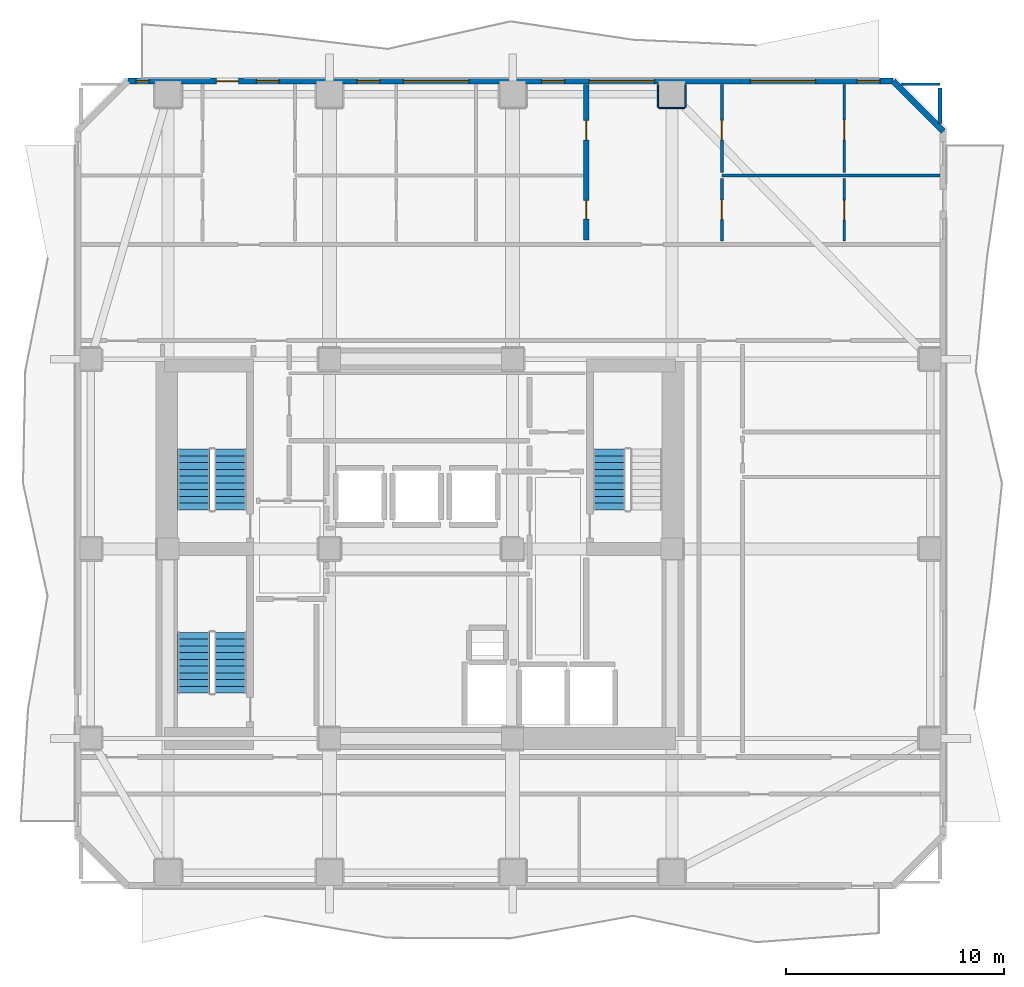
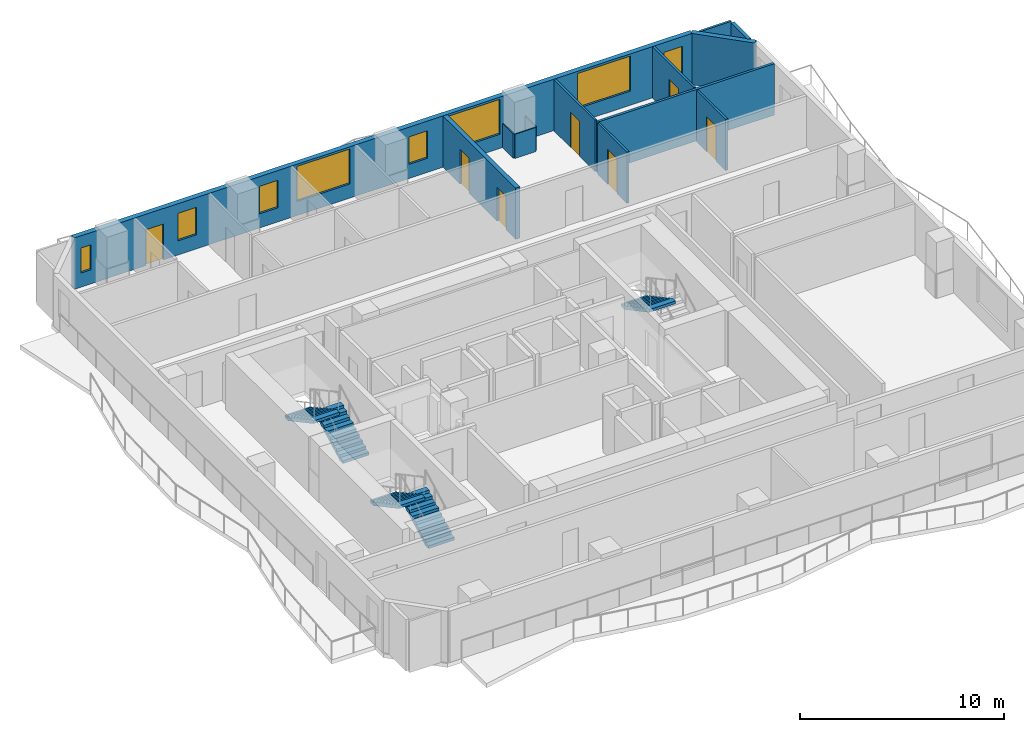
# One storey, part 6 of 11: 13 walls, 8 windows, 7 doors, 5 stair flights, 15 openings, 3 elements without a shape of their own.
"""IFC4 building model written with IfcOpenShell, lengths in metres."""

import ifcopenshell
import ifcopenshell.guid

model = None  # the IFC model being written
_history = None  # IfcOwnerHistory: only IFC2X3 demands one
_inside = {}  # id of a spatial element -> (the spatial element, [elements in it])
_under = {}  # id of a project, library or spatial element -> (it, [spatial elements below it])
_declared = {}  # id of a project -> (the project, [libraries it declares])
_typed = {}  # id of a type object -> (the type object, [elements of that type])
_made_of = {}  # id of a material, layer set ... -> (it, [elements and type objects made of it])


def new_model(schema):
    """Start an empty IFC model of exactly this schema.

    Asked for "IFC4X3", IfcOpenShell would pick the latest addendum, in which some entities
    have other attributes; the version numbers below select the first issue.
    IFC2X3 requires an IfcOwnerHistory on every rooted entity: one is made here for all.
    """
    global model, _history
    if schema == "IFC4X3":
        model = ifcopenshell.file(schema_version=(4, 3, 0, 0))
    else:
        model = ifcopenshell.file(schema=schema)
    _inside.clear()
    _under.clear()
    _declared.clear()
    _typed.clear()
    _made_of.clear()
    _history = None
    if model.schema == "IFC2X3":
        org = make("IfcOrganization", Name="unknown")
        user = make(
            "IfcPersonAndOrganization",
            ThePerson=make("IfcPerson", FamilyName="unknown"),
            TheOrganization=org,
        )
        app = make(
            "IfcApplication",
            ApplicationDeveloper=org,
            Version="unknown",
            ApplicationFullName="unknown",
            ApplicationIdentifier="unknown",
        )
        _history = make(
            "IfcOwnerHistory",
            OwningUser=user,
            OwningApplication=app,
            ChangeAction="ADDED",
            CreationDate=0,
        )
    return model


def make(cls, **values):
    """One entity of the class cls with the attributes given. An attribute that is None is left unset."""
    return model.create_entity(
        cls, **{name: value for name, value in values.items() if value is not None}
    )


def rooted(cls, **values):
    """An entity with a GlobalId (a new one), such as an element, a storey or a relation."""
    return make(cls, GlobalId=ifcopenshell.guid.new(), OwnerHistory=_history, **values)


def si_unit(unit_type, name, prefix=None):
    """IfcSIUnit, for example si_unit("LENGTHUNIT", "METRE", prefix="MILLI")."""
    return make("IfcSIUnit", UnitType=unit_type, Prefix=prefix, Name=name)


def assignment(units):
    """IfcUnitAssignment: the units of a project."""
    return None if units is None else make("IfcUnitAssignment", Units=units)


def point(xyz):
    """IfcCartesianPoint."""
    return None if xyz is None else make("IfcCartesianPoint", Coordinates=xyz)


def direction(xyz):
    """IfcDirection."""
    return None if xyz is None else make("IfcDirection", DirectionRatios=xyz)


def frame(location, z_axis=None, x_axis=None):
    """IfcAxis2Placement3D, a coordinate frame: its origin and axes. An axis left out is left unset."""
    return make(
        "IfcAxis2Placement3D",
        Location=point(location),
        Axis=direction(z_axis),
        RefDirection=direction(x_axis),
    )


def frame_2d(location, x_axis=None):
    """IfcAxis2Placement2D, a coordinate frame in the plane: its origin and x axis."""
    return make(
        "IfcAxis2Placement2D", Location=point(location), RefDirection=direction(x_axis)
    )


def origin():
    """The frame at (0, 0, 0) with its axes left unset."""
    return frame((0.0, 0.0, 0.0))


def place(relative_to, where):
    """IfcLocalPlacement: puts the frame where relative to a parent placement (None: the world)."""
    return make(
        "IfcLocalPlacement", PlacementRelTo=relative_to, RelativePlacement=where
    )


def context(
    kind, dimensions, precision=None, world=None, true_north=None, identifier=None
):
    """IfcGeometricRepresentationContext, for example the 3D "Model" context."""
    return make(
        "IfcGeometricRepresentationContext",
        ContextIdentifier=identifier,
        ContextType=kind,
        CoordinateSpaceDimension=dimensions,
        Precision=precision,
        WorldCoordinateSystem=world,
        TrueNorth=true_north,
    )


def subcontext(parent, identifier, kind, view, scale=None):
    """IfcGeometricRepresentationSubContext, for example "Body" below "Model"."""
    return make(
        "IfcGeometricRepresentationSubContext",
        ContextIdentifier=identifier,
        ContextType=kind,
        ParentContext=parent,
        TargetScale=scale,
        TargetView=view,
    )


def project(units=None, contexts=None):
    """IfcProject with its units and contexts."""
    return rooted(
        "IfcProject",
        Name="project",
        RepresentationContexts=contexts,
        UnitsInContext=assignment(units),
    )


def spatial(cls, under=None, at=None, **own):
    """A site, building, storey or space (cls), placed at a placement, below another one or the project."""
    s = rooted(cls, ObjectPlacement=at, **own)
    if under is not None:
        _under.setdefault(under.id(), (under, []))[1].append(s)
    return s


def polyline(points):
    """IfcPolyline through the points."""
    return make("IfcPolyline", Points=[point(p) for p in points])


def profile(cls, at=None, kind="AREA", **sizes):
    """A parametric profile (cls). Its sizes go by their IFC names, for example OverallWidth=200.0."""
    return make(cls, ProfileType=kind, Position=at, **sizes)


def rectangle(**sizes):
    """IfcRectangleProfileDef."""
    return profile("IfcRectangleProfileDef", **sizes)


def outline(outer, holes=None, kind="AREA"):
    """IfcArbitraryClosedProfileDef: a profile drawn as a closed curve; with holes, ...WithVoids."""
    if holes is None:
        return make("IfcArbitraryClosedProfileDef", ProfileType=kind, OuterCurve=outer)
    return make(
        "IfcArbitraryProfileDefWithVoids",
        ProfileType=kind,
        OuterCurve=outer,
        InnerCurves=holes,
    )


def extrude(swept, where, along, depth):
    """IfcExtrudedAreaSolid: the profile swept, set in the frame where, extruded along a direction by depth."""
    return make(
        "IfcExtrudedAreaSolid",
        SweptArea=swept,
        Position=where,
        ExtrudedDirection=direction(along),
        Depth=depth,
    )


def shape(context_of_items, identifier, shape_type, items):
    """IfcShapeRepresentation: the items that make up one representation, for example the "Body"."""
    return make(
        "IfcShapeRepresentation",
        ContextOfItems=context_of_items,
        RepresentationIdentifier=identifier,
        RepresentationType=shape_type,
        Items=items,
    )


def material(Name=None, Category=None):
    """IfcMaterial."""
    return make("IfcMaterial", Name=Name, Category=Category)


def layer(
    of_material, thickness, ventilated=None, Name=None, Category=None, Priority=None
):
    """IfcMaterialLayer: one layer of a wall or slab, of a material (None: an air gap)."""
    return make(
        "IfcMaterialLayer",
        Material=of_material,
        LayerThickness=thickness,
        IsVentilated=ventilated,
        Name=Name,
        Category=Category,
        Priority=Priority,
    )


def layer_set(layers, Name=None):
    """IfcMaterialLayerSet."""
    return make("IfcMaterialLayerSet", MaterialLayers=layers, LayerSetName=Name)


def made_of(thing, what):
    """Note that an element or type object is made of a material, layer set ...; save() writes the relation."""
    if what is not None:
        _made_of.setdefault(what.id(), (what, []))[1].append(thing)
    return thing


def type_object(cls, material=None, **own):
    """A type object (cls), such as IfcWallType, which elements share."""
    return made_of(rooted(cls, **own), material)


def element(
    cls,
    number,
    at=None,
    inside=None,
    cuts=None,
    type_object=None,
    material=None,
    context=None,
    identifier="Body",
    shape_type=None,
    held_by="IfcProductDefinitionShape",
    body=None,
    shapes=None,
    **own,
):
    """One element of the class cls, such as IfcWall. Its Tag is "e" and its number.

    at: its placement. inside: the storey or other place that contains it. cuts: it is an
    opening in that element (IfcRelVoidsElement). A single representation is given by context,
    identifier, shape_type and body (its items); several are given by shapes. held_by: the class
    of the entity that holds the representations. save() writes the other relations.
    """
    e = rooted(cls, Tag="e%d" % number, ObjectPlacement=at, **own)
    if body is not None:
        shapes = [shape(context, identifier, shape_type, body)]
    if shapes is not None:
        e.Representation = make(held_by, Representations=shapes)
    if inside is not None:
        _inside.setdefault(inside.id(), (inside, []))[1].append(e)
    if cuts is not None:
        rooted(
            "IfcRelVoidsElement", RelatingBuildingElement=cuts, RelatedOpeningElement=e
        )
    if type_object is not None:
        _typed.setdefault(type_object.id(), (type_object, []))[1].append(e)
    return made_of(e, material)


def fill(opening, filler):
    """IfcRelFillsElement: the door or window that sits in an opening."""
    return rooted(
        "IfcRelFillsElement",
        RelatingOpeningElement=opening,
        RelatedBuildingElement=filler,
    )


def aggregate(whole, parts):
    """IfcRelAggregates: a whole, such as a stair, and the parts it consists of."""
    return rooted("IfcRelAggregates", RelatingObject=whole, RelatedObjects=parts)


def save(model, path):
    """Write the relations noted so far, then the file.

    IfcRelAggregates (storeys below a building ...), IfcRelContainedInSpatialStructure (elements
    in a storey), IfcRelDefinesByType, IfcRelAssociatesMaterial and IfcRelDeclares: one each for
    every whole, place, type object, material and project.
    """
    for whole, parts in _under.values():
        aggregate(whole, parts)
    for where, things in _inside.values():
        rooted(
            "IfcRelContainedInSpatialStructure",
            RelatedElements=things,
            RelatingStructure=where,
        )
    for kind, things in _typed.values():
        rooted("IfcRelDefinesByType", RelatedObjects=things, RelatingType=kind)
    for what, things in _made_of.values():
        rooted("IfcRelAssociatesMaterial", RelatedObjects=things, RelatingMaterial=what)
    for by, libraries in _declared.values():
        rooted("IfcRelDeclares", RelatingContext=by, RelatedDefinitions=libraries)
    model.write(path)


model = new_model("IFC4")

# Units and contexts
model_context = context("Model", 3, precision=1e-05, world=origin(), true_north=direction((0.0, 1.0)))
body_context = subcontext(model_context, "Body", "Model", "MODEL_VIEW")
ifc_project = project(units=[si_unit("LENGTHUNIT", "METRE"), si_unit("AREAUNIT", "SQUARE_METRE"), si_unit("VOLUMEUNIT", "CUBIC_METRE"), si_unit("PLANEANGLEUNIT", "RADIAN"), si_unit("MASSUNIT", "GRAM", prefix="KILO")], contexts=[model_context])

# Site, building, storey
site_placement = place(None, origin())
site = spatial("IfcSite", under=ifc_project, at=site_placement, CompositionType="ELEMENT")
building_placement = place(site_placement, origin())
building = spatial("IfcBuilding", under=site, at=building_placement, Name="Solanera Arch Residences", CompositionType="ELEMENT")
storey_placement = place(building_placement, frame((0.0, 0.0, 159.199951171875)))
storey = spatial("IfcBuildingStorey", under=building, at=storey_placement, Name="L46", CompositionType="ELEMENT", Elevation=159.199951171875)

# Walls
ifc_material_1 = material(Name="Fire-Rated Gypsum Stud Partition", Category="gypsum")
ifc_layer_1 = layer(ifc_material_1, 0.06005859375)
ifc_layer_set_1 = layer_set([ifc_layer_1], Name="Fire-Rated Gypsum Stud Partition")
wall_type_1 = type_object("IfcWallType", Name="Column Acoustic Furring Wall 60", PredefinedType="PARTITIONING", material=ifc_layer_set_1)
wall_1_placement = place(storey_placement, frame((35.89990234375, 50.91796875, 0.0), z_axis=(0.0, 0.0, 1.0), x_axis=(1.0, 0.0, 0.0)))
element("IfcWall", 1, at=wall_1_placement, inside=storey, type_object=wall_type_1, Name="L46 Column Furring 16S", PredefinedType="PARTITIONING", context=body_context, shape_type="SweptSolid", body=[
    extrude(rectangle(XDim=1.2001953125, YDim=0.06005859375, at=frame_2d((0.60009765625, 0.0))), origin(), (0.0, 0.0, 1.0), 1.449951171875),
])
for number, where, z_axis, x_axis, name in (
    (2, (35.867919921875, 50.949951171875, 0.0), (0.0, 0.0, 1.0), (0.0, 1.0, 0.0), "L46 Column Furring 16W"),
    (3, (37.132080078125, 50.949951171875, 0.0), (0.0, 0.0, 1.0), (0.0, 1.0, 0.0), "L46 Column Furring 16E"),
):
    element("IfcWall", number, at=place(storey_placement, frame(where, z_axis=z_axis, x_axis=x_axis)), inside=storey, type_object=wall_type_1, Name=name, PredefinedType="PARTITIONING", context=body_context, shape_type="SweptSolid", body=[
        extrude(rectangle(XDim=1.0400390625, YDim=0.06005859375, at=frame_2d((0.52001953125, 0.0))), origin(), (0.0, 0.0, 1.0), 1.449951171875),
    ])
ifc_material_2 = material(Name="Autoclaved Aerated Concrete Blockwork", Category="masonry")
ifc_layer_2 = layer(ifc_material_2, 0.179931640625)
ifc_layer_set_2 = layer_set([ifc_layer_2], Name="Autoclaved Aerated Concrete Blockwork")
wall_type_2 = type_object("IfcWallType", Name="Corridor Fire Partition 180", PredefinedType="PARTITIONING", material=ifc_layer_set_2)
wall_2_placement = place(storey_placement, frame((48.800048828125, 50.205078125, 0.0), z_axis=(0.0, 0.0, 1.0), x_axis=(0.0, 1.0, 0.0)))
element("IfcWall", 4, at=wall_2_placement, inside=storey, type_object=wall_type_2, Name="L46 Interior Partition V13 2", PredefinedType="PARTITIONING", context=body_context, shape_type="SweptSolid", body=[
    extrude(rectangle(XDim=1.636962890625, YDim=0.179931640625, at=frame_2d((0.818359375, 0.0))), origin(), (0.0, 0.0, 1.0), 3.080078125),
])

# Wall, openings, door, windows
ifc_material_3 = material(Name="Precast Concrete C35/45", Category="concrete")
ifc_layer_3 = layer(ifc_material_3, 0.280029296875)
ifc_layer_set_3 = layer_set([ifc_layer_3], Name="Precast Concrete C35/45")
wall_type_3 = type_object("IfcWallType", Name="Exterior Wall Precast Masonry-Frame 280", PredefinedType="STANDARD", material=ifc_layer_set_3)
wall_3_placement = place(storey_placement, frame((11.554931640625, 52.14501953125, 0.0), z_axis=(0.0, 0.0, 1.0), x_axis=(1.0, 0.0, 0.0)))
wall_3 = element("IfcWall", 5, at=wall_3_placement, inside=storey, type_object=wall_type_3, Name="L46 Tower Exterior Precast Masonry-Frame Wall N", PredefinedType="STANDARD", context=body_context, shape_type="SweptSolid", body=[
    extrude(rectangle(XDim=35.090087890625, YDim=0.280029296875, at=frame_2d((17.544921875, 0.0))), origin(), (0.0, 0.0, 1.0), 3.080078125),
])
opening_1_placement = place(wall_3_placement, frame((4.06201171875, 0.0, 0.0)))
opening_1 = element("IfcOpeningElement", 6, at=opening_1_placement, cuts=wall_3, Name="Opening DB-01", PredefinedType="OPENING", context=body_context, shape_type="SweptSolid", body=[
    extrude(rectangle(XDim=1.0, YDim=2.14990234375, at=frame_2d((0.5, 1.074951171875))), frame((0.0, 0.14990234375, 0.0), z_axis=(0.0, -1.0, 0.0), x_axis=(1.0, 0.0, 0.0)), (0.0, 0.0, 1.0), 0.3),
])
opening_2_placement = place(wall_3_placement, frame((5.887939453125, 0.0, 0.85009765625)))
opening_2 = element("IfcOpeningElement", 7, at=opening_2_placement, cuts=wall_3, Name="Opening W-07", PredefinedType="OPENING", context=body_context, shape_type="SweptSolid", body=[
    extrude(rectangle(XDim=1.050048828125, YDim=1.64990234375, at=frame_2d((0.52490234375, 0.824951171875))), frame((0.0, 0.14990234375, 0.0), z_axis=(0.0, -1.0, 0.0), x_axis=(1.0, 0.0, 0.0)), (0.0, 0.0, 1.0), 0.3),
])
opening_3_placement = place(wall_3_placement, frame((0.3779296875, 0.0, 0.85009765625)))
opening_3 = element("IfcOpeningElement", 8, at=opening_3_placement, cuts=wall_3, Name="Opening W-14", PredefinedType="OPENING", context=body_context, shape_type="SweptSolid", body=[
    extrude(rectangle(XDim=0.580078125, YDim=1.5, at=frame_2d((0.2900390625, 0.75))), frame((0.0, 0.14990234375, 0.0), z_axis=(0.0, -1.0, 0.0), x_axis=(1.0, 0.0, 0.0)), (0.0, 0.0, 1.0), 0.3),
])
opening_4_placement = place(wall_3_placement, frame((10.50390625, 0.0, 0.85009765625)))
opening_4 = element("IfcOpeningElement", 9, at=opening_4_placement, cuts=wall_3, Name="Opening W-07", PredefinedType="OPENING", context=body_context, shape_type="SweptSolid", body=[
    extrude(rectangle(XDim=1.050048828125, YDim=1.64990234375, at=frame_2d((0.52490234375, 0.824951171875))), frame((0.0, 0.14990234375, 0.0), z_axis=(0.0, -1.0, 0.0), x_axis=(1.0, 0.0, 0.0)), (0.0, 0.0, 1.0), 0.3),
])
opening_5_placement = place(wall_3_placement, frame((12.638916015625, 0.0, 0.85009765625)))
opening_5 = element("IfcOpeningElement", 10, at=opening_5_placement, cuts=wall_3, Name="Opening W-12", PredefinedType="OPENING", context=body_context, shape_type="SweptSolid", body=[
    extrude(rectangle(XDim=3.0, YDim=2.10009765625, at=frame_2d((1.5, 1.050048828125))), frame((0.0, 0.14990234375, 0.0), z_axis=(0.0, -1.0, 0.0), x_axis=(1.0, 0.0, 0.0)), (0.0, 0.0, 1.0), 0.3),
])
opening_6_placement = place(wall_3_placement, frame((21.152099609375, 0.0, 0.85009765625)))
opening_6 = element("IfcOpeningElement", 11, at=opening_6_placement, cuts=wall_3, Name="Opening W-12", PredefinedType="OPENING", context=body_context, shape_type="SweptSolid", body=[
    extrude(rectangle(XDim=3.0, YDim=2.10009765625, at=frame_2d((1.5, 1.050048828125))), frame((0.0, 0.14990234375, 0.0), z_axis=(0.0, -1.0, 0.0), x_axis=(1.0, 0.0, 0.0)), (0.0, 0.0, 1.0), 0.3),
])
opening_7_placement = place(wall_3_placement, frame((18.97705078125, 0.0, 0.85009765625)))
opening_7 = element("IfcOpeningElement", 12, at=opening_7_placement, cuts=wall_3, Name="Opening W-07", PredefinedType="OPENING", context=body_context, shape_type="SweptSolid", body=[
    extrude(rectangle(XDim=1.050048828125, YDim=1.64990234375, at=frame_2d((0.52490234375, 0.824951171875))), frame((0.0, 0.14990234375, 0.0), z_axis=(0.0, -1.0, 0.0), x_axis=(1.0, 0.0, 0.0)), (0.0, 0.0, 1.0), 0.3),
])
opening_8_placement = place(wall_3_placement, frame((28.5439453125, 0.0, 0.85009765625)))
opening_8 = element("IfcOpeningElement", 13, at=opening_8_placement, cuts=wall_3, Name="Opening W-12", PredefinedType="OPENING", context=body_context, shape_type="SweptSolid", body=[
    extrude(rectangle(XDim=3.0, YDim=2.10009765625, at=frame_2d((1.5, 1.050048828125))), frame((0.0, 0.14990234375, 0.0), z_axis=(0.0, -1.0, 0.0), x_axis=(1.0, 0.0, 0.0)), (0.0, 0.0, 1.0), 0.3),
])
opening_9_placement = place(wall_3_placement, frame((33.447021484375, 0.0, 0.85009765625)))
opening_9 = element("IfcOpeningElement", 14, at=opening_9_placement, cuts=wall_3, Name="Opening W-07", PredefinedType="OPENING", context=body_context, shape_type="SweptSolid", body=[
    extrude(rectangle(XDim=1.050048828125, YDim=1.64990234375, at=frame_2d((0.52490234375, 0.824951171875))), frame((0.0, 0.14990234375, 0.0), z_axis=(0.0, -1.0, 0.0), x_axis=(1.0, 0.0, 0.0)), (0.0, 0.0, 1.0), 0.3),
])
ifc_material_4 = material(Name="Anodised Aluminium Alloy 6063-T6", Category="aluminium")
door_type_1 = type_object("IfcDoorType", Name="Glazed Balcony Swing Door DB-01", OperationType="NOTDEFINED", PredefinedType="DOOR", material=ifc_material_4)
door_1_placement = place(opening_1_placement, origin())
door_1 = element("IfcDoor", 15, at=door_1_placement, inside=storey, type_object=door_type_1, Name="DR-L46-OUT-02", OperationType="SINGLE_SWING_LEFT", OverallHeight=2.14990234375, OverallWidth=1.0, PredefinedType="DOOR", context=body_context, shape_type="SweptSolid", body=[
    extrude(rectangle(XDim=1.0, YDim=2.14990234375, at=frame_2d((0.5, 1.074951171875))), frame((0.0, 0.02490234375, 0.0), z_axis=(0.0, -1.0, 0.0), x_axis=(1.0, 0.0, 0.0)), (0.0, 0.0, 1.0), 0.050048828125),
])
fill(opening_1, door_1)
ifc_material_5 = material(Name="Double Glazed Low-E Laminated Glass", Category="glass")
window_type_1 = type_object("IfcWindowType", Name="Punched Window W-07", PartitioningType="SINGLE_PANEL", PredefinedType="WINDOW", material=ifc_material_5)
window_1_placement = place(opening_2_placement, origin())
window_1 = element("IfcWindow", 16, at=window_1_placement, inside=storey, type_object=window_type_1, Name="L46 4601-LIV Punched Window", OverallHeight=1.64990234375, OverallWidth=1.050048828125, PartitioningType="SINGLE_PANEL", PredefinedType="WINDOW", context=body_context, shape_type="SweptSolid", body=[
    extrude(rectangle(XDim=1.050048828125, YDim=1.64990234375, at=frame_2d((0.52490234375, 0.824951171875))), frame((0.0, 0.030029296875, 0.0), z_axis=(0.0, -1.0, 0.0), x_axis=(1.0, 0.0, 0.0)), (0.0, 0.0, 1.0), 0.06005859375),
])
fill(opening_2, window_1)
window_2_placement = place(opening_4_placement, origin())
window_2 = element("IfcWindow", 17, at=window_2_placement, inside=storey, type_object=window_type_1, Name="L46 4601-BR2 Punched Window", OverallHeight=1.64990234375, OverallWidth=1.050048828125, PartitioningType="SINGLE_PANEL", PredefinedType="WINDOW", context=body_context, shape_type="SweptSolid", body=[
    extrude(rectangle(XDim=1.050048828125, YDim=1.64990234375, at=frame_2d((0.52490234375, 0.824951171875))), frame((0.0, 0.030029296875, 0.0), z_axis=(0.0, -1.0, 0.0), x_axis=(1.0, 0.0, 0.0)), (0.0, 0.0, 1.0), 0.06005859375),
])
fill(opening_4, window_2)
window_3_placement = place(opening_7_placement, origin())
window_3 = element("IfcWindow", 18, at=window_3_placement, inside=storey, type_object=window_type_1, Name="L46 4602-BR1 Punched Window", OverallHeight=1.64990234375, OverallWidth=1.050048828125, PartitioningType="SINGLE_PANEL", PredefinedType="WINDOW", context=body_context, shape_type="SweptSolid", body=[
    extrude(rectangle(XDim=1.050048828125, YDim=1.64990234375, at=frame_2d((0.52490234375, 0.824951171875))), frame((0.0, 0.030029296875, 0.0), z_axis=(0.0, -1.0, 0.0), x_axis=(1.0, 0.0, 0.0)), (0.0, 0.0, 1.0), 0.06005859375),
])
fill(opening_7, window_3)
window_4_placement = place(opening_9_placement, origin())
window_4 = element("IfcWindow", 19, at=window_4_placement, inside=storey, type_object=window_type_1, Name="L46 4602-BR3 Punched Window", OverallHeight=1.64990234375, OverallWidth=1.050048828125, PartitioningType="SINGLE_PANEL", PredefinedType="WINDOW", context=body_context, shape_type="SweptSolid", body=[
    extrude(rectangle(XDim=1.050048828125, YDim=1.64990234375, at=frame_2d((0.52490234375, 0.824951171875))), frame((0.0, 0.030029296875, 0.0), z_axis=(0.0, -1.0, 0.0), x_axis=(1.0, 0.0, 0.0)), (0.0, 0.0, 1.0), 0.06005859375),
])
fill(opening_9, window_4)
ifc_material_6 = material(Name="Double Glazed Low-E Laminated Glass", Category="glass")
window_type_2 = type_object("IfcWindowType", Name="Punched Window W-12", PartitioningType="TRIPLE_PANEL_VERTICAL", PredefinedType="WINDOW", material=ifc_material_6)
window_5_placement = place(opening_5_placement, origin())
window_5 = element("IfcWindow", 20, at=window_5_placement, inside=storey, type_object=window_type_2, Name="L46 4601-BR3 Punched Window", OverallHeight=2.10009765625, OverallWidth=3.0, PartitioningType="SINGLE_PANEL", PredefinedType="WINDOW", context=body_context, shape_type="SweptSolid", body=[
    extrude(rectangle(XDim=3.0, YDim=2.10009765625, at=frame_2d((1.5, 1.050048828125))), frame((0.0, 0.030029296875, 0.0), z_axis=(0.0, -1.0, 0.0), x_axis=(1.0, 0.0, 0.0)), (0.0, 0.0, 1.0), 0.06005859375),
])
fill(opening_5, window_5)
window_6_placement = place(opening_6_placement, origin())
window_6 = element("IfcWindow", 21, at=window_6_placement, inside=storey, type_object=window_type_2, Name="L46 4602-LIV Punched Window", OverallHeight=2.10009765625, OverallWidth=3.0, PartitioningType="SINGLE_PANEL", PredefinedType="WINDOW", context=body_context, shape_type="SweptSolid", body=[
    extrude(rectangle(XDim=3.0, YDim=2.10009765625, at=frame_2d((1.5, 1.050048828125))), frame((0.0, 0.030029296875, 0.0), z_axis=(0.0, -1.0, 0.0), x_axis=(1.0, 0.0, 0.0)), (0.0, 0.0, 1.0), 0.06005859375),
])
fill(opening_6, window_6)
window_7_placement = place(opening_8_placement, origin())
window_7 = element("IfcWindow", 22, at=window_7_placement, inside=storey, type_object=window_type_2, Name="L46 4602-BR2 Punched Window", OverallHeight=2.10009765625, OverallWidth=3.0, PartitioningType="SINGLE_PANEL", PredefinedType="WINDOW", context=body_context, shape_type="SweptSolid", body=[
    extrude(rectangle(XDim=3.0, YDim=2.10009765625, at=frame_2d((1.5, 1.050048828125))), frame((0.0, 0.030029296875, 0.0), z_axis=(0.0, -1.0, 0.0), x_axis=(1.0, 0.0, 0.0)), (0.0, 0.0, 1.0), 0.06005859375),
])
fill(opening_8, window_7)
ifc_material_7 = material(Name="Double Glazed Low-E Laminated Glass", Category="glass")
window_type_3 = type_object("IfcWindowType", Name="Punched Window W-14", PartitioningType="SINGLE_PANEL", PredefinedType="WINDOW", material=ifc_material_7)
window_8_placement = place(opening_3_placement, origin())
window_8 = element("IfcWindow", 23, at=window_8_placement, inside=storey, type_object=window_type_3, Name="L46 4601-BR1 Punched Window", OverallHeight=1.5, OverallWidth=0.580078125, PartitioningType="SINGLE_PANEL", PredefinedType="WINDOW", context=body_context, shape_type="SweptSolid", body=[
    extrude(rectangle(XDim=0.580078125, YDim=1.5, at=frame_2d((0.2900390625, 0.75))), frame((0.0, 0.030029296875, 0.0), z_axis=(0.0, -1.0, 0.0), x_axis=(1.0, 0.0, 0.0)), (0.0, 0.0, 1.0), 0.06005859375),
])
fill(opening_3, window_8)

# Wall
wall_4_placement = place(storey_placement, frame((46.64501953125, 52.14501953125, 0.0), z_axis=(0.0, 0.0, 1.0), x_axis=(0.707106781187, -0.707106781187, 0.0)))
element("IfcWall", 24, at=wall_4_placement, inside=storey, type_object=wall_type_3, Name="L46 Tower Exterior Precast Masonry-Frame Wall CH3", PredefinedType="STANDARD", context=body_context, shape_type="SweptSolid", body=[
    extrude(rectangle(XDim=3.252685546875, YDim=0.280029296875, at=frame_2d((1.62646484375, 0.0))), origin(), (0.0, 0.0, 1.0), 3.080078125),
])

# Wall, openings, doors
ifc_material_8 = material(Name="Autoclaved Aerated Concrete Blockwork", Category="masonry")
ifc_layer_4 = layer(ifc_material_8, 0.239990234375)
ifc_layer_set_4 = layer_set([ifc_layer_4], Name="Autoclaved Aerated Concrete Blockwork")
wall_type_4 = type_object("IfcWallType", Name="Shaft Wall Fire-Rated 240", PredefinedType="PARTITIONING", material=ifc_layer_set_4)
wall_5_placement = place(storey_placement, frame((32.580078125, 44.867919921875, 0.0), z_axis=(0.0, 0.0, 1.0), x_axis=(0.0, 1.0, 0.0)))
wall_5 = element("IfcWall", 25, at=wall_5_placement, inside=storey, type_object=wall_type_4, Name="L46 Interior Partition V6", PredefinedType="PARTITIONING", context=body_context, shape_type="SweptSolid", body=[
    extrude(rectangle(XDim=7.125, YDim=0.239990234375, at=frame_2d((3.5625, 0.0))), origin(), (0.0, 0.0, 1.0), 3.080078125),
])
opening_10_placement = place(wall_5_placement, frame((0.945068359375, 0.0, 0.0)))
opening_10 = element("IfcOpeningElement", 26, at=opening_10_placement, cuts=wall_5, Name="Opening DI-05", PredefinedType="OPENING", context=body_context, shape_type="SweptSolid", body=[
    extrude(rectangle(XDim=0.860107421875, YDim=2.02001953125, at=frame_2d((0.43017578125, 1.010009765625))), frame((0.0, 0.1298828125, 0.0), z_axis=(0.0, -1.0, 0.0), x_axis=(1.0, 0.0, 0.0)), (0.0, 0.0, 1.0), 0.26),
])
opening_11_placement = place(wall_5_placement, frame((4.573974609375, 0.0, 0.0)))
opening_11 = element("IfcOpeningElement", 27, at=opening_11_placement, cuts=wall_5, Name="Opening DI-03", PredefinedType="OPENING", context=body_context, shape_type="SweptSolid", body=[
    extrude(rectangle(XDim=0.89990234375, YDim=2.10009765625, at=frame_2d((0.449951171875, 1.050048828125))), frame((0.0, 0.1298828125, 0.0), z_axis=(0.0, -1.0, 0.0), x_axis=(1.0, 0.0, 0.0)), (0.0, 0.0, 1.0), 0.26),
])
ifc_material_9 = material(Name="Fire-Rated Architectural Hardwood", Category="wood")
door_type_2 = type_object("IfcDoorType", Name="Bathroom Swing Door DI-05", OperationType="NOTDEFINED", PredefinedType="DOOR", material=ifc_material_9)
door_2_placement = place(opening_10_placement, origin())
door_2 = element("IfcDoor", 28, at=door_2_placement, inside=storey, type_object=door_type_2, Name="DR-L46-IN-027", OperationType="SINGLE_SWING_RIGHT", OverallHeight=2.02001953125, OverallWidth=0.860107421875, PredefinedType="DOOR", context=body_context, shape_type="SweptSolid", body=[
    extrude(rectangle(XDim=0.860107421875, YDim=2.02001953125, at=frame_2d((0.43017578125, 1.010009765625))), frame((0.0, 0.02490234375, 0.0), z_axis=(0.0, -1.0, 0.0), x_axis=(1.0, 0.0, 0.0)), (0.0, 0.0, 1.0), 0.050048828125),
])
fill(opening_10, door_2)
ifc_material_10 = material(Name="Fire-Rated Architectural Hardwood", Category="wood")
door_type_3 = type_object("IfcDoorType", Name="Bedroom Swing Door DI-03", OperationType="NOTDEFINED", PredefinedType="DOOR", material=ifc_material_10)
door_3_placement = place(opening_11_placement, origin())
door_3 = element("IfcDoor", 29, at=door_3_placement, inside=storey, type_object=door_type_3, Name="DR-L46-IN-028", OperationType="SINGLE_SWING_LEFT", OverallHeight=2.10009765625, OverallWidth=0.89990234375, PredefinedType="DOOR", context=body_context, shape_type="SweptSolid", body=[
    extrude(rectangle(XDim=0.89990234375, YDim=2.10009765625, at=frame_2d((0.449951171875, 1.050048828125))), frame((0.0, 0.02490234375, 0.0), z_axis=(0.0, -1.0, 0.0), x_axis=(1.0, 0.0, 0.0)), (0.0, 0.0, 1.0), 0.050048828125),
])
fill(opening_11, door_3)

# Wall
ifc_material_11 = material(Name="Fire-Rated Gypsum Stud Partition", Category="gypsum")
ifc_layer_5 = layer(ifc_material_11, 0.1201171875)
ifc_layer_set_5 = layer_set([ifc_layer_5], Name="Fire-Rated Gypsum Stud Partition")
wall_type_5 = type_object("IfcWallType", Name="Unit Drywall Partition 120", PredefinedType="PARTITIONING", material=ifc_layer_set_5)
wall_6_placement = place(storey_placement, frame((47.0048828125, 52.0, 0.0), z_axis=(0.0, 0.0, 1.0), x_axis=(1.0, 0.0, 0.0)))
element("IfcWall", 30, at=wall_6_placement, inside=storey, type_object=wall_type_5, Name="L46 Interior Partition H20 2", PredefinedType="PARTITIONING", context=body_context, shape_type="SweptSolid", body=[
    extrude(rectangle(XDim=1.795166015625, YDim=0.1201171875, at=frame_2d((0.8974609375, 0.0))), origin(), (0.0, 0.0, 1.0), 3.080078125),
])

# Wall, opening, door
wall_7_placement = place(storey_placement, frame((38.798095703125, 44.80810546875, 0.0), z_axis=(0.0, 0.0, 1.0), x_axis=(0.0, 1.0, 0.0)))
wall_7 = element("IfcWall", 31, at=wall_7_placement, inside=storey, type_object=wall_type_5, Name="L46 Interior Partition V19 1", PredefinedType="PARTITIONING", context=body_context, shape_type="SweptSolid", body=[
    extrude(rectangle(XDim=2.864013671875, YDim=0.1201171875, at=frame_2d((1.43212890625, 0.0))), origin(), (0.0, 0.0, 1.0), 3.080078125),
])
opening_12_placement = place(wall_7_placement, frame((0.985107421875, 0.0, 0.0)))
opening_12 = element("IfcOpeningElement", 32, at=opening_12_placement, cuts=wall_7, Name="Opening DI-02", PredefinedType="OPENING", context=body_context, shape_type="SweptSolid", body=[
    extrude(rectangle(XDim=0.89990234375, YDim=2.10009765625, at=frame_2d((0.449951171875, 1.050048828125))), frame((0.0, 0.070068359375, 0.0), z_axis=(0.0, -1.0, 0.0), x_axis=(1.0, 0.0, 0.0)), (0.0, 0.0, 1.0), 0.1401),
])
ifc_material_12 = material(Name="Fire-Rated Architectural Hardwood", Category="wood")
door_type_4 = type_object("IfcDoorType", Name="Suite Room Swing Door DI-02", OperationType="NOTDEFINED", PredefinedType="DOOR", material=ifc_material_12)
door_4_placement = place(opening_12_placement, origin())
door_4 = element("IfcDoor", 33, at=door_4_placement, inside=storey, type_object=door_type_4, Name="DR-L46-IN-029", OperationType="SINGLE_SWING_RIGHT", OverallHeight=2.10009765625, OverallWidth=0.89990234375, PredefinedType="DOOR", context=body_context, shape_type="SweptSolid", body=[
    extrude(rectangle(XDim=0.89990234375, YDim=2.10009765625, at=frame_2d((0.449951171875, 1.050048828125))), frame((0.0, 0.02490234375, 0.0), z_axis=(0.0, -1.0, 0.0), x_axis=(1.0, 0.0, 0.0)), (0.0, 0.0, 1.0), 0.050048828125),
])
fill(opening_12, door_4)

wall_8_placement = place(storey_placement, frame((38.798095703125, 47.947998046875, 0.0), z_axis=(0.0, 0.0, 1.0), x_axis=(0.0, 1.0, 0.0)))
wall_8 = element("IfcWall", 34, at=wall_8_placement, inside=storey, type_object=wall_type_5, Name="L46 Interior Partition V19 2", PredefinedType="PARTITIONING", context=body_context, shape_type="SweptSolid", body=[
    extrude(rectangle(XDim=4.044921875, YDim=0.1201171875, at=frame_2d((2.0224609375, 0.0))), origin(), (0.0, 0.0, 1.0), 3.080078125),
])
opening_13_placement = place(wall_8_placement, frame((1.493896484375, 0.0, 0.0)))
opening_13 = element("IfcOpeningElement", 35, at=opening_13_placement, cuts=wall_8, Name="Opening DI-03", PredefinedType="OPENING", context=body_context, shape_type="SweptSolid", body=[
    extrude(rectangle(XDim=0.89990234375, YDim=2.10009765625, at=frame_2d((0.449951171875, 1.050048828125))), frame((0.0, 0.070068359375, 0.0), z_axis=(0.0, -1.0, 0.0), x_axis=(1.0, 0.0, 0.0)), (0.0, 0.0, 1.0), 0.1401),
])
door_5_placement = place(opening_13_placement, origin())
door_5 = element("IfcDoor", 36, at=door_5_placement, inside=storey, type_object=door_type_3, Name="DR-L46-IN-031", OperationType="SINGLE_SWING_RIGHT", OverallHeight=2.10009765625, OverallWidth=0.89990234375, PredefinedType="DOOR", context=body_context, shape_type="SweptSolid", body=[
    extrude(rectangle(XDim=0.89990234375, YDim=2.10009765625, at=frame_2d((0.449951171875, 1.050048828125))), frame((0.0, 0.02490234375, 0.0), z_axis=(0.0, -1.0, 0.0), x_axis=(1.0, 0.0, 0.0)), (0.0, 0.0, 1.0), 0.050048828125),
])
fill(opening_13, door_5)

wall_9_placement = place(storey_placement, frame((44.39892578125, 44.80810546875, 0.0), z_axis=(0.0, 0.0, 1.0), x_axis=(0.0, 1.0, 0.0)))
wall_9 = element("IfcWall", 37, at=wall_9_placement, inside=storey, type_object=wall_type_5, Name="L46 Interior Partition V20 1", PredefinedType="PARTITIONING", context=body_context, shape_type="SweptSolid", body=[
    extrude(rectangle(XDim=2.864013671875, YDim=0.1201171875, at=frame_2d((1.43212890625, 0.0))), origin(), (0.0, 0.0, 1.0), 3.080078125),
])
opening_14_placement = place(wall_9_placement, frame((0.971923828125, 0.0, 0.0)))
opening_14 = element("IfcOpeningElement", 38, at=opening_14_placement, cuts=wall_9, Name="Opening DI-02", PredefinedType="OPENING", context=body_context, shape_type="SweptSolid", body=[
    extrude(rectangle(XDim=0.89990234375, YDim=2.10009765625, at=frame_2d((0.449951171875, 1.050048828125))), frame((0.0, 0.070068359375, 0.0), z_axis=(0.0, -1.0, 0.0), x_axis=(1.0, 0.0, 0.0)), (0.0, 0.0, 1.0), 0.1401),
])
door_6_placement = place(opening_14_placement, origin())
door_6 = element("IfcDoor", 39, at=door_6_placement, inside=storey, type_object=door_type_4, Name="DR-L46-IN-030", OperationType="SINGLE_SWING_LEFT", OverallHeight=2.10009765625, OverallWidth=0.89990234375, PredefinedType="DOOR", context=body_context, shape_type="SweptSolid", body=[
    extrude(rectangle(XDim=0.89990234375, YDim=2.10009765625, at=frame_2d((0.449951171875, 1.050048828125))), frame((0.0, 0.02490234375, 0.0), z_axis=(0.0, -1.0, 0.0), x_axis=(1.0, 0.0, 0.0)), (0.0, 0.0, 1.0), 0.050048828125),
])
fill(opening_14, door_6)

wall_10_placement = place(storey_placement, frame((44.39892578125, 47.947998046875, 0.0), z_axis=(0.0, 0.0, 1.0), x_axis=(0.0, 1.0, 0.0)))
wall_10 = element("IfcWall", 40, at=wall_10_placement, inside=storey, type_object=wall_type_5, Name="L46 Interior Partition V20 2", PredefinedType="PARTITIONING", context=body_context, shape_type="SweptSolid", body=[
    extrude(rectangle(XDim=4.044921875, YDim=0.1201171875, at=frame_2d((2.0224609375, 0.0))), origin(), (0.0, 0.0, 1.0), 3.080078125),
])
opening_15_placement = place(wall_10_placement, frame((1.507080078125, 0.0, 0.0)))
opening_15 = element("IfcOpeningElement", 41, at=opening_15_placement, cuts=wall_10, Name="Opening DI-03", PredefinedType="OPENING", context=body_context, shape_type="SweptSolid", body=[
    extrude(rectangle(XDim=0.89990234375, YDim=2.10009765625, at=frame_2d((0.449951171875, 1.050048828125))), frame((0.0, 0.070068359375, 0.0), z_axis=(0.0, -1.0, 0.0), x_axis=(1.0, 0.0, 0.0)), (0.0, 0.0, 1.0), 0.1401),
])
door_7_placement = place(opening_15_placement, origin())
door_7 = element("IfcDoor", 42, at=door_7_placement, inside=storey, type_object=door_type_3, Name="DR-L46-IN-032", OperationType="SINGLE_SWING_LEFT", OverallHeight=2.10009765625, OverallWidth=0.89990234375, PredefinedType="DOOR", context=body_context, shape_type="SweptSolid", body=[
    extrude(rectangle(XDim=0.89990234375, YDim=2.10009765625, at=frame_2d((0.449951171875, 1.050048828125))), frame((0.0, 0.02490234375, 0.0), z_axis=(0.0, -1.0, 0.0), x_axis=(1.0, 0.0, 0.0)), (0.0, 0.0, 1.0), 0.050048828125),
])
fill(opening_15, door_7)

# Wall
ifc_material_13 = material(Name="Autoclaved Aerated Concrete Blockwork", Category="masonry")
ifc_layer_6 = layer(ifc_material_13, 0.139892578125)
ifc_layer_set_6 = layer_set([ifc_layer_6], Name="Autoclaved Aerated Concrete Blockwork")
wall_type_6 = type_object("IfcWallType", Name="Wet-Room Partition 140", PredefinedType="PARTITIONING", material=ifc_layer_set_6)
wall_11_placement = place(storey_placement, frame((38.798095703125, 47.81005859375, 0.0), z_axis=(0.0, 0.0, 1.0), x_axis=(1.0, 0.0, 0.0)))
element("IfcWall", 43, at=wall_11_placement, inside=storey, type_object=wall_type_6, Name="L46 Interior Partition H17", PredefinedType="PARTITIONING", context=body_context, shape_type="SweptSolid", body=[
    extrude(rectangle(XDim=9.994873046875, YDim=0.139892578125, at=frame_2d((4.99755859375, 0.0))), origin(), (0.0, 0.0, 1.0), 3.080078125),
])

# Stair, stair flights
ifc_material_14 = material(Name="Concrete C40/50 (f'c = 45 MPa)", Category="concrete")
stair_type = type_object("IfcStairType", Name="Tower Dogleg Exit Stair 1480", PredefinedType="HALF_TURN_STAIR", material=ifc_material_14)
stair_1_placement = place(storey_placement, origin())
stair_1 = element("IfcStair", 44, at=stair_1_placement, inside=storey, type_object=stair_type, Name="L46 Tower Core Exit Stair 1", PredefinedType="HALF_TURN_STAIR")
ifc_material_15 = material(Name="Concrete C40/50 (f'c = 45 MPa)", Category="concrete")
stair_flight_type = type_object("IfcStairFlightType", Name="Tower Precast Stair Flight 1480", PredefinedType="STRAIGHT", material=ifc_material_15)
stair_flight_1_placement = place(storey_placement, frame((16.260009765625, 32.47998046875, 0.0), z_axis=(0.0, 0.0, 1.0), x_axis=(0.0, 1.0, 0.0)))
stair_flight_1 = element("IfcStairFlight", 45, at=stair_flight_1_placement, type_object=stair_flight_type, Name="ST-T1 flight 1", NumberOfRisers=10, NumberOfTreads=9, PredefinedType="STRAIGHT", RiserHeight=0.166, TreadLength=0.31, context=body_context, shape_type="SweptSolid", body=[
    extrude(outline(polyline([(0.0, 0.0), (0.0, 0.166015625), (0.31005859375, 0.166015625), (0.31005859375, 0.33203125), (0.6201171875, 0.33203125), (0.6201171875, 0.498046875), (0.929931640625, 0.498046875), (0.929931640625, 0.6640625), (1.239990234375, 0.6640625), (1.239990234375, 0.830078125), (1.550048828125, 0.830078125), (1.550048828125, 0.99609375), (1.860107421875, 0.99609375), (1.860107421875, 1.162109375), (2.169921875, 1.162109375), (2.169921875, 1.327880859375), (2.47998046875, 1.327880859375), (2.47998046875, 1.493896484375), (2.7900390625, 1.493896484375), (2.7900390625, 1.659912109375), (2.7900390625, 1.323974609375), (0.317626953125, 0.0), (0.0, 0.0)])), frame((0.0, 0.739990234375, 0.0), z_axis=(0.0, -1.0, 0.0), x_axis=(1.0, 0.0, 0.0)), (0.0, 0.0, 1.0), 1.47998046875),
])
stair_flight_2_placement = place(storey_placement, frame((14.580078125, 35.27001953125, 1.66015625), z_axis=(0.0, 0.0, 1.0), x_axis=(0.0, -1.0, 0.0)))
stair_flight_2 = element("IfcStairFlight", 46, at=stair_flight_2_placement, type_object=stair_flight_type, Name="ST-T1 flight 2", NumberOfRisers=10, NumberOfTreads=9, PredefinedType="STRAIGHT", RiserHeight=0.166, TreadLength=0.31, context=body_context, shape_type="SweptSolid", body=[
    extrude(outline(polyline([(0.0, 0.0), (0.0, 0.166015625), (0.31005859375, 0.166015625), (0.31005859375, 0.33203125), (0.6201171875, 0.33203125), (0.6201171875, 0.498046875), (0.929931640625, 0.498046875), (0.929931640625, 0.6640625), (1.239990234375, 0.6640625), (1.239990234375, 0.830078125), (1.550048828125, 0.830078125), (1.550048828125, 0.99609375), (1.860107421875, 0.99609375), (1.860107421875, 1.162109375), (2.169921875, 1.162109375), (2.169921875, 1.327880859375), (2.47998046875, 1.327880859375), (2.47998046875, 1.493896484375), (2.7900390625, 1.493896484375), (2.7900390625, 1.659912109375), (2.7900390625, 1.323974609375), (0.317626953125, 0.0), (0.0, 0.0)])), frame((0.0, 0.739990234375, 0.0), z_axis=(0.0, -1.0, 0.0), x_axis=(1.0, 0.0, 0.0)), (0.0, 0.0, 1.0), 1.47998046875),
])
aggregate(stair_1, [stair_flight_1, stair_flight_2])

# Stair, stair flight
stair_2_placement = place(storey_placement, origin())
stair_2 = element("IfcStair", 47, at=stair_2_placement, inside=storey, type_object=stair_type, Name="L46 Tower Core Exit Stair 2", PredefinedType="HALF_TURN_STAIR")
stair_flight_3_placement = place(storey_placement, frame((33.639892578125, 35.27001953125, 1.66015625), z_axis=(0.0, 0.0, 1.0), x_axis=(0.0, -1.0, 0.0)))
stair_flight_3 = element("IfcStairFlight", 48, at=stair_flight_3_placement, type_object=stair_flight_type, Name="ST-T2 flight 2", NumberOfRisers=10, NumberOfTreads=9, PredefinedType="STRAIGHT", RiserHeight=0.166, TreadLength=0.31, context=body_context, shape_type="SweptSolid", body=[
    extrude(outline(polyline([(0.0, 0.0), (0.0, 0.166015625), (0.31005859375, 0.166015625), (0.31005859375, 0.33203125), (0.6201171875, 0.33203125), (0.6201171875, 0.498046875), (0.929931640625, 0.498046875), (0.929931640625, 0.6640625), (1.239990234375, 0.6640625), (1.239990234375, 0.830078125), (1.550048828125, 0.830078125), (1.550048828125, 0.99609375), (1.860107421875, 0.99609375), (1.860107421875, 1.162109375), (2.169921875, 1.162109375), (2.169921875, 1.327880859375), (2.47998046875, 1.327880859375), (2.47998046875, 1.493896484375), (2.7900390625, 1.493896484375), (2.7900390625, 1.659912109375), (2.7900390625, 1.323974609375), (0.317626953125, 0.0), (0.0, 0.0)])), frame((0.0, 0.739990234375, 0.0), z_axis=(0.0, -1.0, 0.0), x_axis=(1.0, 0.0, 0.0)), (0.0, 0.0, 1.0), 1.47998046875),
])
aggregate(stair_2, [stair_flight_3])

# Stair, stair flights
stair_3_placement = place(storey_placement, origin())
stair_3 = element("IfcStair", 49, at=stair_3_placement, inside=storey, type_object=stair_type, Name="L46 Tower Core Exit Stair 3", PredefinedType="HALF_TURN_STAIR")
stair_flight_4_placement = place(storey_placement, frame((16.260009765625, 24.080078125, 0.0), z_axis=(0.0, 0.0, 1.0), x_axis=(0.0, 1.0, 0.0)))
stair_flight_4 = element("IfcStairFlight", 50, at=stair_flight_4_placement, type_object=stair_flight_type, Name="ST-T3 flight 1", NumberOfRisers=10, NumberOfTreads=9, PredefinedType="STRAIGHT", RiserHeight=0.166, TreadLength=0.31, context=body_context, shape_type="SweptSolid", body=[
    extrude(outline(polyline([(0.0, 0.0), (0.0, 0.166015625), (0.31005859375, 0.166015625), (0.31005859375, 0.33203125), (0.6201171875, 0.33203125), (0.6201171875, 0.498046875), (0.929931640625, 0.498046875), (0.929931640625, 0.6640625), (1.239990234375, 0.6640625), (1.239990234375, 0.830078125), (1.550048828125, 0.830078125), (1.550048828125, 0.99609375), (1.860107421875, 0.99609375), (1.860107421875, 1.162109375), (2.169921875, 1.162109375), (2.169921875, 1.327880859375), (2.47998046875, 1.327880859375), (2.47998046875, 1.493896484375), (2.7900390625, 1.493896484375), (2.7900390625, 1.659912109375), (2.7900390625, 1.323974609375), (0.317626953125, 0.0), (0.0, 0.0)])), frame((0.0, 0.739990234375, 0.0), z_axis=(0.0, -1.0, 0.0), x_axis=(1.0, 0.0, 0.0)), (0.0, 0.0, 1.0), 1.47998046875),
])
stair_flight_5_placement = place(storey_placement, frame((14.580078125, 26.8701171875, 1.66015625), z_axis=(0.0, 0.0, 1.0), x_axis=(0.0, -1.0, 0.0)))
stair_flight_5 = element("IfcStairFlight", 51, at=stair_flight_5_placement, type_object=stair_flight_type, Name="ST-T3 flight 2", NumberOfRisers=10, NumberOfTreads=9, PredefinedType="STRAIGHT", RiserHeight=0.166, TreadLength=0.31, context=body_context, shape_type="SweptSolid", body=[
    extrude(outline(polyline([(0.0, 0.0), (0.0, 0.166015625), (0.31005859375, 0.166015625), (0.31005859375, 0.33203125), (0.6201171875, 0.33203125), (0.6201171875, 0.498046875), (0.929931640625, 0.498046875), (0.929931640625, 0.6640625), (1.239990234375, 0.6640625), (1.239990234375, 0.830078125), (1.550048828125, 0.830078125), (1.550048828125, 0.99609375), (1.860107421875, 0.99609375), (1.860107421875, 1.162109375), (2.169921875, 1.162109375), (2.169921875, 1.327880859375), (2.47998046875, 1.327880859375), (2.47998046875, 1.493896484375), (2.7900390625, 1.493896484375), (2.7900390625, 1.659912109375), (2.7900390625, 1.323974609375), (0.317626953125, 0.0), (0.0, 0.0)])), frame((0.0, 0.739990234375, 0.0), z_axis=(0.0, -1.0, 0.0), x_axis=(1.0, 0.0, 0.0)), (0.0, 0.0, 1.0), 1.47998046875),
])
aggregate(stair_3, [stair_flight_4, stair_flight_5])

save(model, "model.ifc")
